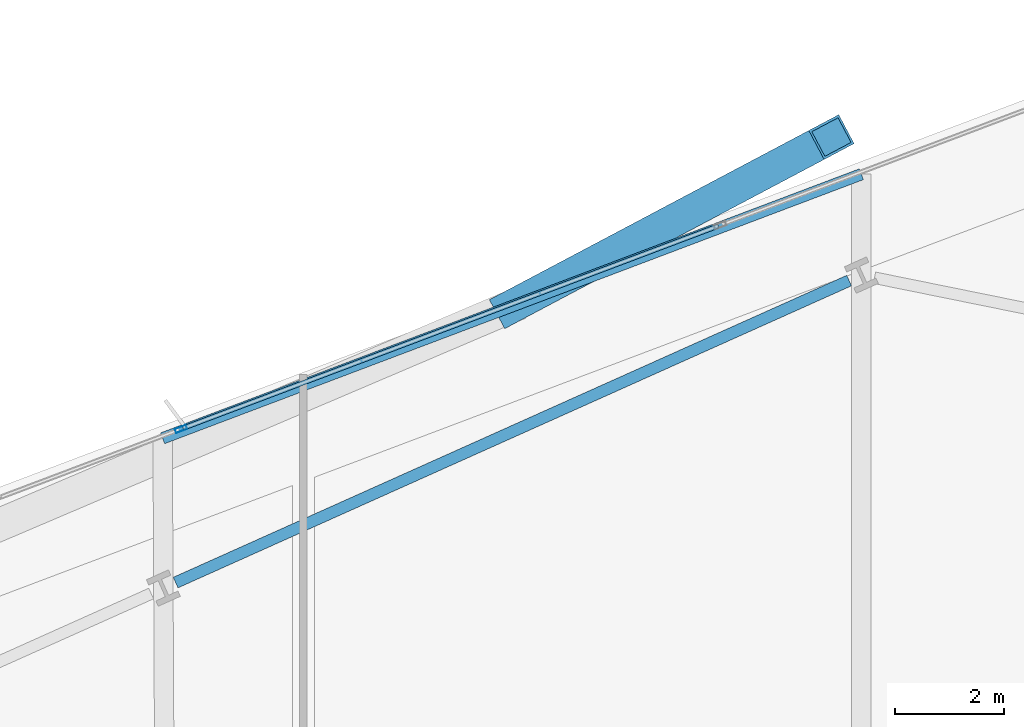
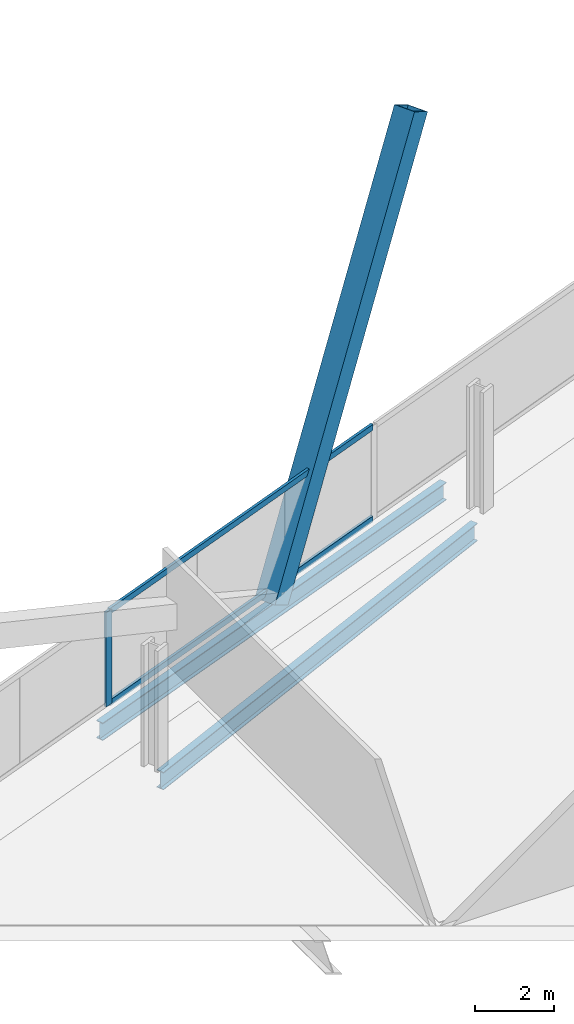
# One storey, part 22 of 37: 4 members, 2 beams, 1 element without a shape of its own.
"""IFC4 building model written with IfcOpenShell, lengths in metres."""

from ifc_helpers import new_model, si_unit, direction, frame, origin, origin_2d, place, context, subcontext, project, spatial, hollow_rectangle, i_section, extrude, material, material_profile, profile_set, type_object, element, aggregate, save


model = new_model("IFC4")

# Units and contexts
model_context = context("Model", 3, precision=1e-05, world=origin(), true_north=direction((0.0, 1.0)))
body_context = subcontext(model_context, "Body", "Model", "MODEL_VIEW")
ifc_project = project(units=[si_unit("LENGTHUNIT", "METRE"), si_unit("AREAUNIT", "SQUARE_METRE"), si_unit("VOLUMEUNIT", "CUBIC_METRE"), si_unit("PLANEANGLEUNIT", "RADIAN"), si_unit("MASSUNIT", "GRAM", prefix="KILO")], contexts=[model_context])

# Site, building, storey
site_placement = place(None, origin())
site = spatial("IfcSite", under=ifc_project, at=site_placement, CompositionType="ELEMENT")
building_placement = place(site_placement, origin())
building = spatial("IfcBuilding", under=site, at=building_placement, Name="Haldenkirk Collegiate Tower", CompositionType="ELEMENT")
storey_placement = place(building_placement, frame((0.0, 0.0, 97.949951171875)))
storey = spatial("IfcBuildingStorey", under=building, at=storey_placement, Name="L23", CompositionType="ELEMENT", Elevation=97.949951171875)

# Beams
ifc_material_1 = material(Name="Steel ASTM A992 Grade 50", Category="steel")
ifc_material_profile_1 = material_profile(ifc_material_1, i_section(OverallWidth=0.2119140625, OverallDepth=0.5439453125, WebThickness=0.01318359375, FlangeThickness=0.021240234375, at=origin_2d()), Name="W21X83")
ifc_profile_set_1 = profile_set([ifc_material_profile_1], Name="Steel ASTM A992 Grade 50")
beam_type = type_object("IfcBeamType", Name="BM-SPANDREL-W21X83", PredefinedType="SPANDREL", material=ifc_profile_set_1)
beam_1_placement = place(storey_placement, frame((39.4921875, 51.84033203125, -0.572021484375), z_axis=(-0.912476765144, -0.409128528793, 0.0), x_axis=(0.409128528793, -0.912476765144, 0.0)))
element("IfcBeam", 1, at=beam_1_placement, inside=storey, type_object=beam_type, Name="L23 perimeter spandrel beam 10", PredefinedType="SPANDREL", context=body_context, shape_type="SweptSolid", body=[
    extrude(i_section(OverallWidth=0.2119140625, OverallDepth=0.5439453125, WebThickness=0.01318359375, FlangeThickness=0.021240234375, at=origin_2d()), origin(), (0.0, 0.0, 1.0), 13.512939453125),
])
beam_2_placement = place(storey_placement, frame((39.71630859375, 53.787353515625, -0.572021484375), z_axis=(-0.935447302766, -0.35346618473, 0.0), x_axis=(0.35346618473, -0.935447302766, 0.0)))
element("IfcBeam", 2, at=beam_2_placement, inside=storey, type_object=beam_type, Name="L23 outer facade edge beam 3", PredefinedType="SPANDREL", context=body_context, shape_type="SweptSolid", body=[
    extrude(i_section(OverallWidth=0.2119140625, OverallDepth=0.5439453125, WebThickness=0.01318359375, FlangeThickness=0.021240234375, at=origin_2d()), origin(), (0.0, 0.0, 1.0), 13.67529296875),
])

# Curtain wall, members
ifc_material_2 = material(Name="Anodised architectural bronze aluminium", Category="aluminium")
curtain_wall_type = type_object("IfcCurtainWallType", Name="CW-SYS1-CONVEX-LOW", PredefinedType="USERDEFINED", material=ifc_material_2)
curtain_wall_placement = place(storey_placement, origin())
curtain_wall = element("IfcCurtainWall", 3, at=curtain_wall_placement, inside=storey, type_object=curtain_wall_type, Name="L23 Lower tower convex bronze-framed unitised curtain wall", ObjectType="UNITISED CURTAIN WALL", PredefinedType="USERDEFINED")
ifc_material_profile_2 = material_profile(ifc_material_2, hollow_rectangle(XDim=0.080078125, YDim=0.219970703125, WallThickness=0.0048828125, at=origin_2d()), Name="CW-MUL-1A")
ifc_profile_set_2 = profile_set([ifc_material_profile_2], Name="Anodised architectural bronze aluminium")
member_type_1 = type_object("IfcMemberType", Name="CW-MUL-1A", PredefinedType="MULLION", material=ifc_profile_set_2)
member_1_placement = place(storey_placement, frame((27.261962890625, 49.124267578125, 0.0), z_axis=(0.0, 0.0, 1.0), x_axis=(-0.353476419489, 0.935443435417, 0.0)))
member_1 = element("IfcMember", 4, at=member_1_placement, type_object=member_type_1, Name="CW-1A mullion 3", PredefinedType="MULLION", context=body_context, shape_type="SweptSolid", body=[
    extrude(hollow_rectangle(XDim=0.080078125, YDim=0.219970703125, WallThickness=0.0048828125, at=origin_2d()), origin(), (0.0, 0.0, 1.0), 2.901123046875),
])
ifc_material_profile_3 = material_profile(ifc_material_2, hollow_rectangle(XDim=0.080078125, YDim=0.179931640625, WallThickness=0.0048828125, at=origin_2d()), Name="CW-TRN-1A")
ifc_profile_set_3 = profile_set([ifc_material_profile_3], Name="Anodised architectural bronze aluminium")
member_type_2 = type_object("IfcMemberType", Name="CW-TRN-1A", PredefinedType="USERDEFINED", material=ifc_profile_set_3)
member_2_placement = place(storey_placement, frame((27.299560546875, 49.13818359375, 0.0400390625), z_axis=(0.935440740147, 0.353483552196, 0.0), x_axis=(-0.353483552196, 0.935440740147, 0.0)))
member_2 = element("IfcMember", 5, at=member_2_placement, type_object=member_type_2, Name="CW-1A transom 3.1", ObjectType="TRANSOM", PredefinedType="USERDEFINED", context=body_context, shape_type="SweptSolid", body=[
    extrude(hollow_rectangle(XDim=0.080078125, YDim=0.179931640625, WallThickness=0.0048828125, at=origin_2d()), origin(), (0.0, 0.0, 1.0), 10.469970703125),
])
member_3_placement = place(storey_placement, frame((27.299560546875, 49.13818359375, 2.861083984375), z_axis=(0.935440740147, 0.353483552196, 0.0), x_axis=(-0.353483552196, 0.935440740147, 0.0)))
member_3 = element("IfcMember", 6, at=member_3_placement, type_object=member_type_2, Name="CW-1A transom 3.2", ObjectType="TRANSOM", PredefinedType="USERDEFINED", context=body_context, shape_type="SweptSolid", body=[
    extrude(hollow_rectangle(XDim=0.080078125, YDim=0.179931640625, WallThickness=0.0048828125, at=origin_2d()), origin(), (0.0, 0.0, 1.0), 10.469970703125),
])
aggregate(curtain_wall, [member_1, member_2, member_3])

# Member
ifc_material_3 = material(Name="Steel ASTM A572 Grade 50", Category="steel")
ifc_material_profile_4 = material_profile(ifc_material_3, hollow_rectangle(XDim=0.60009765625, YDim=0.719970703125, WallThickness=0.044921875, at=origin_2d()), Name="BOX720X600X45")
ifc_profile_set_4 = profile_set([ifc_material_profile_4], Name="Steel ASTM A572 Grade 50")
member_type_3 = type_object("IfcMemberType", Name="MBR-MEGABRACE-BOX720X600X45", PredefinedType="BRACE", material=ifc_profile_set_4)
member_4_placement = place(storey_placement, frame((33.320068359375, 51.37060546875, -0.31005859375), z_axis=(0.448091554182, 0.237307461509, 0.861915963295), x_axis=(-0.46801483419, 0.883720609117, 0.0)))
element("IfcMember", 7, at=member_4_placement, inside=storey, type_object=member_type_3, Name="Perimeter Mega Brace Z2 L23-L25 NL", PredefinedType="BRACE", context=body_context, shape_type="SweptSolid", body=[
    extrude(hollow_rectangle(XDim=0.60009765625, YDim=0.719970703125, WallThickness=0.044921875, at=origin_2d()), origin(), (0.0, 0.0, 1.0), 13.05224609375),
])

save(model, "model.ifc")
